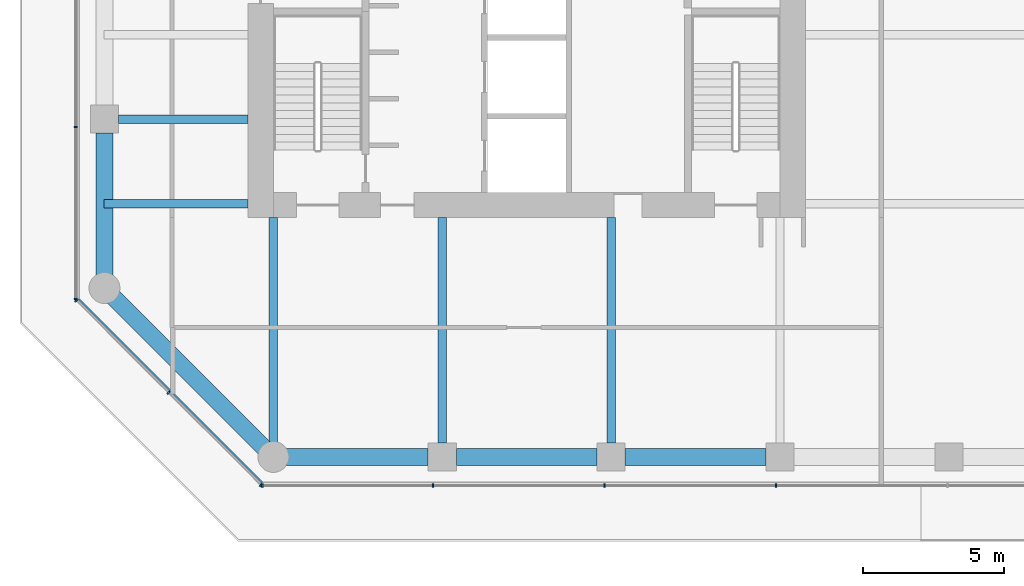
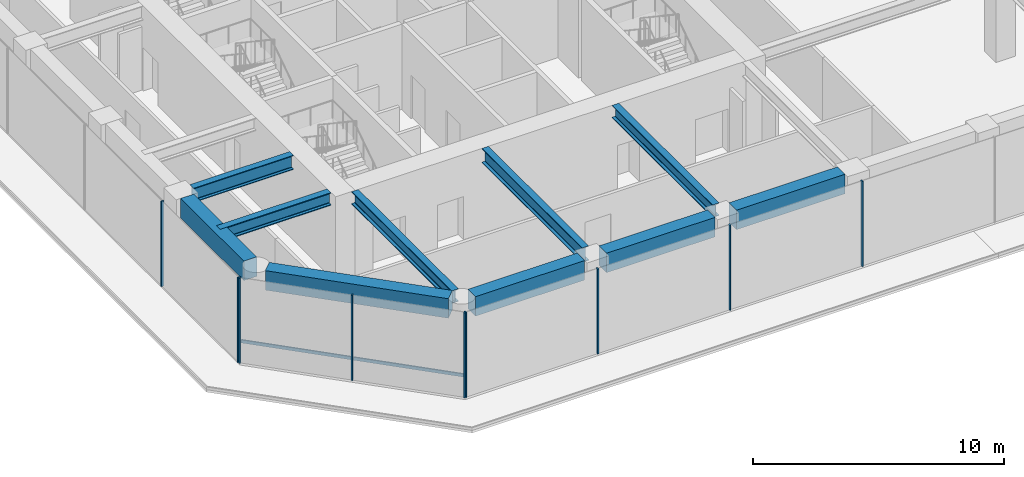
# One storey, part 2 of 24: 10 beams, 10 members, 3 elements without a shape of their own.
"""IFC4 building model written with IfcOpenShell, lengths in metres."""

from ifc_helpers import new_model, si_unit, direction, frame, origin, origin_2d, place, context, subcontext, project, spatial, rectangle, i_section, extrude, material, layer, layer_set, material_profile, profile_set, type_object, element, aggregate, save


model = new_model("IFC4")

# Units and contexts
model_context = context("Model", 3, precision=1e-05, world=origin(), true_north=direction((0.0, 1.0)))
body_context = subcontext(model_context, "Body", "Model", "MODEL_VIEW")
ifc_project = project(units=[si_unit("LENGTHUNIT", "METRE"), si_unit("AREAUNIT", "SQUARE_METRE"), si_unit("VOLUMEUNIT", "CUBIC_METRE"), si_unit("PLANEANGLEUNIT", "RADIAN"), si_unit("MASSUNIT", "GRAM", prefix="KILO")], contexts=[model_context])

# Site, building, storey
site_placement = place(None, origin())
site = spatial("IfcSite", under=ifc_project, at=site_placement, CompositionType="ELEMENT")
building_placement = place(site_placement, origin())
building = spatial("IfcBuilding", under=site, at=building_placement, Name="Welwitschia Terrace Campus", CompositionType="ELEMENT")
storey_placement = place(building_placement, frame((0.0, 0.0, 24.5)))
storey = spatial("IfcBuildingStorey", under=building, at=storey_placement, Name="L05", CompositionType="ELEMENT", Elevation=24.5)

# Beams
ifc_material_1 = material(Name="Steel S355", Category="steel")
ifc_material_profile_1 = material_profile(ifc_material_1, i_section(OverallWidth=0.304931640625, OverallDepth=0.6201171875, WebThickness=0.02099609375, FlangeThickness=0.0400390625, FilletRadius=0.027099609375, at=origin_2d()))
ifc_profile_set_1 = profile_set([ifc_material_profile_1], Name="Steel S355")
beam_type_1 = type_object("IfcBeamType", Name="Interior girder HE 600 M", PredefinedType="BEAM", material=ifc_profile_set_1)
beam_1_placement = place(storey_placement, frame((-0.010009765625, 5.0, 3.840087890625), z_axis=(1.0, 0.0, 0.0), x_axis=(0.0, 1.0, 0.0)))
element("IfcBeam", 1, at=beam_1_placement, inside=storey, type_object=beam_type_1, Name="Girder GB1", PredefinedType="BEAM", context=body_context, shape_type="SweptSolid", body=[
    extrude(i_section(OverallWidth=0.304931640625, OverallDepth=0.6201171875, WebThickness=0.02099609375, FlangeThickness=0.0400390625, FilletRadius=0.027099609375, at=origin_2d()), origin(), (0.0, 0.0, 1.0), 5.109130859375),
])
beam_2_placement = place(storey_placement, frame((6.0, -3.48095703125, 3.840087890625), z_axis=(0.0, 1.0, 0.0), x_axis=(-1.0, 0.0, 0.0)))
element("IfcBeam", 2, at=beam_2_placement, inside=storey, type_object=beam_type_1, Name="Girder GB1", PredefinedType="BEAM", context=body_context, shape_type="SweptSolid", body=[
    extrude(i_section(OverallWidth=0.304931640625, OverallDepth=0.6201171875, WebThickness=0.02099609375, FlangeThickness=0.0400390625, FilletRadius=0.027099609375, at=origin_2d()), origin(), (0.0, 0.0, 1.0), 7.97998046875),
])
beam_3_placement = place(storey_placement, frame((18.0, -3.509521484375, 3.840087890625), z_axis=(0.0, 1.0, 0.0), x_axis=(-1.0, 0.0, 0.0)))
element("IfcBeam", 3, at=beam_3_placement, inside=storey, type_object=beam_type_1, Name="Girder GB1", PredefinedType="BEAM", context=body_context, shape_type="SweptSolid", body=[
    extrude(i_section(OverallWidth=0.304931640625, OverallDepth=0.6201171875, WebThickness=0.02099609375, FlangeThickness=0.0400390625, FilletRadius=0.027099609375, at=origin_2d()), origin(), (0.0, 0.0, 1.0), 8.008544921875),
])

# Curtain wall, members
ifc_material_2 = material(Name="Bronze anodised aluminium", Category="aluminium")
ifc_layer = layer(ifc_material_2, 0.1201171875)
ifc_layer_set = layer_set([ifc_layer], Name="Bronze anodised aluminium")
curtain_wall_type = type_object("IfcCurtainWallType", Name="Curtain wall CW2 tower 6000", PredefinedType="NOTDEFINED", material=ifc_layer_set)
curtain_wall_1_placement = place(storey_placement, origin())
curtain_wall_1 = element("IfcCurtainWall", 4, at=curtain_wall_1_placement, inside=storey, type_object=curtain_wall_type, Name="CW L05.0.0", PredefinedType="NOTDEFINED")
ifc_material_3 = material(Name="Bronze anodised aluminium", Category="aluminium")
ifc_material_profile_2 = material_profile(ifc_material_3, rectangle(XDim=0.1201171875, YDim=0.06005859375, at=origin_2d()))
ifc_profile_set_2 = profile_set([ifc_material_profile_2], Name="Bronze anodised aluminium")
member_type_1 = type_object("IfcMemberType", Name="Mullion 60x120", PredefinedType="MULLION", material=ifc_profile_set_2)
member_1_placement = place(storey_placement, frame((-0.998779296875, 1.556396484375, 0.0), z_axis=(0.0, 0.0, 1.0), x_axis=(0.707106781187, 0.707106781187, 0.0)))
member_1 = element("IfcMember", 5, at=member_1_placement, type_object=member_type_1, Name="Mullion L05.0.0.0", PredefinedType="MULLION", context=body_context, shape_type="SweptSolid", body=[
    extrude(rectangle(XDim=0.1201171875, YDim=0.06005859375, at=origin_2d()), origin(), (0.0, 0.0, 1.0), 4.14990234375),
])
member_2_placement = place(storey_placement, frame((2.27880859375, -1.72119140625, 0.0), z_axis=(0.0, 0.0, 1.0), x_axis=(0.707106781187, 0.707106781187, 0.0)))
member_2 = element("IfcMember", 6, at=member_2_placement, type_object=member_type_1, Name="Mullion L05.0.0.1", PredefinedType="MULLION", context=body_context, shape_type="SweptSolid", body=[
    extrude(rectangle(XDim=0.1201171875, YDim=0.06005859375, at=origin_2d()), origin(), (0.0, 0.0, 1.0), 4.14990234375),
])
member_3_placement = place(storey_placement, frame((5.556396484375, -4.998779296875, 0.0), z_axis=(0.0, 0.0, 1.0), x_axis=(0.707106781187, 0.707106781187, 0.0)))
member_3 = element("IfcMember", 7, at=member_3_placement, type_object=member_type_1, Name="Mullion L05.0.0.2", PredefinedType="MULLION", context=body_context, shape_type="SweptSolid", body=[
    extrude(rectangle(XDim=0.1201171875, YDim=0.06005859375, at=origin_2d()), origin(), (0.0, 0.0, 1.0), 4.14990234375),
])

curtain_wall_2_placement = place(storey_placement, origin())
curtain_wall_2 = element("IfcCurtainWall", 8, at=curtain_wall_2_placement, inside=storey, type_object=curtain_wall_type, Name="CW L05.1.0", PredefinedType="NOTDEFINED")
member_4_placement = place(storey_placement, frame((5.607421875, -5.02001953125, 0.0), z_axis=(0.0, 0.0, 1.0), x_axis=(0.0, 1.0, 0.0)))
member_4 = element("IfcMember", 9, at=member_4_placement, type_object=member_type_1, Name="Mullion L05.1.0.0", PredefinedType="MULLION", context=body_context, shape_type="SweptSolid", body=[
    extrude(rectangle(XDim=0.1201171875, YDim=0.06005859375, at=origin_2d()), origin(), (0.0, 0.0, 1.0), 4.14990234375),
])
member_5_placement = place(storey_placement, frame((11.67138671875, -5.02001953125, 0.0), z_axis=(0.0, 0.0, 1.0), x_axis=(0.0, 1.0, 0.0)))
member_5 = element("IfcMember", 10, at=member_5_placement, type_object=member_type_1, Name="Mullion L05.1.0.1", PredefinedType="MULLION", context=body_context, shape_type="SweptSolid", body=[
    extrude(rectangle(XDim=0.1201171875, YDim=0.06005859375, at=origin_2d()), origin(), (0.0, 0.0, 1.0), 4.14990234375),
])
member_6_placement = place(storey_placement, frame((17.765380859375, -5.02001953125, 0.0), z_axis=(0.0, 0.0, 1.0), x_axis=(0.0, 1.0, 0.0)))
member_6 = element("IfcMember", 11, at=member_6_placement, type_object=member_type_1, Name="Mullion L05.1.0.2", PredefinedType="MULLION", context=body_context, shape_type="SweptSolid", body=[
    extrude(rectangle(XDim=0.1201171875, YDim=0.06005859375, at=origin_2d()), origin(), (0.0, 0.0, 1.0), 4.14990234375),
])
member_7_placement = place(storey_placement, frame((23.859130859375, -5.02001953125, 0.0), z_axis=(0.0, 0.0, 1.0), x_axis=(0.0, 1.0, 0.0)))
member_7 = element("IfcMember", 12, at=member_7_placement, type_object=member_type_1, Name="Mullion L05.1.0.3", PredefinedType="MULLION", context=body_context, shape_type="SweptSolid", body=[
    extrude(rectangle(XDim=0.1201171875, YDim=0.06005859375, at=origin_2d()), origin(), (0.0, 0.0, 1.0), 4.14990234375),
])
aggregate(curtain_wall_2, [member_4, member_5, member_6, member_7])

curtain_wall_3_placement = place(storey_placement, origin())
curtain_wall_3 = element("IfcCurtainWall", 13, at=curtain_wall_3_placement, inside=storey, type_object=curtain_wall_type, Name="CW L05.9.0", PredefinedType="NOTDEFINED")
member_8_placement = place(storey_placement, frame((-1.02001953125, 7.7216796875, 0.0), z_axis=(0.0, 0.0, 1.0), x_axis=(1.0, 0.0, 0.0)))
member_8 = element("IfcMember", 14, at=member_8_placement, type_object=member_type_1, Name="Mullion L05.9.0.9", PredefinedType="MULLION", context=body_context, shape_type="SweptSolid", body=[
    extrude(rectangle(XDim=0.1201171875, YDim=0.06005859375, at=origin_2d()), origin(), (0.0, 0.0, 1.0), 4.14990234375),
])
member_9_placement = place(storey_placement, frame((-1.02001953125, 1.607421875, 0.0), z_axis=(0.0, 0.0, 1.0), x_axis=(1.0, 0.0, 0.0)))
member_9 = element("IfcMember", 15, at=member_9_placement, type_object=member_type_1, Name="Mullion L05.9.0.10", PredefinedType="MULLION", context=body_context, shape_type="SweptSolid", body=[
    extrude(rectangle(XDim=0.1201171875, YDim=0.06005859375, at=origin_2d()), origin(), (0.0, 0.0, 1.0), 4.14990234375),
])
aggregate(curtain_wall_3, [member_8, member_9])

# Beams
ifc_material_4 = material(Name="Steel S355", Category="steel")
ifc_material_profile_3 = material_profile(ifc_material_4, i_section(OverallWidth=0.300048828125, OverallDepth=0.699951171875, WebThickness=0.01708984375, FlangeThickness=0.031982421875, FilletRadius=0.027099609375, at=origin_2d()))
ifc_profile_set_3 = profile_set([ifc_material_profile_3], Name="Steel S355")
beam_type_2 = type_object("IfcBeamType", Name="Primary beam HE 700 B", PredefinedType="BEAM", material=ifc_profile_set_3)
beam_4_placement = place(storey_placement, frame((12.0, -3.49951171875, 3.800048828125), z_axis=(0.0, 1.0, 0.0), x_axis=(-1.0, 0.0, 0.0)))
element("IfcBeam", 16, at=beam_4_placement, inside=storey, type_object=beam_type_2, Name="Primary beam PB1", PredefinedType="BEAM", context=body_context, shape_type="SweptSolid", body=[
    extrude(i_section(OverallWidth=0.300048828125, OverallDepth=0.699951171875, WebThickness=0.01708984375, FlangeThickness=0.031982421875, FilletRadius=0.027099609375, at=origin_2d()), origin(), (0.0, 0.0, 1.0), 7.99951171875),
])
beam_5_placement = place(storey_placement, frame((0.50048828125, 8.0, 3.800048828125), z_axis=(1.0, 0.0, 0.0), x_axis=(0.0, 1.0, 0.0)))
element("IfcBeam", 17, at=beam_5_placement, inside=storey, type_object=beam_type_2, Name="Primary beam PB1", PredefinedType="BEAM", context=body_context, shape_type="SweptSolid", body=[
    extrude(i_section(OverallWidth=0.300048828125, OverallDepth=0.699951171875, WebThickness=0.01708984375, FlangeThickness=0.031982421875, FilletRadius=0.027099609375, at=origin_2d()), origin(), (0.0, 0.0, 1.0), 4.599609375),
])
ifc_material_5 = material(Name="Concrete C60/75", Category="concrete")
ifc_material_profile_4 = material_profile(ifc_material_5, rectangle(XDim=0.60009765625, YDim=0.949951171875, at=origin_2d()))
ifc_profile_set_4 = profile_set([ifc_material_profile_4], Name="Concrete C60/75")
beam_type_3 = type_object("IfcBeamType", Name="Ring spandrel 600x950", PredefinedType="SPANDREL", material=ifc_profile_set_4)
beam_6_placement = place(storey_placement, frame((0.326416015625, 1.673583984375, 3.675048828125), z_axis=(0.707106781187, -0.707106781187, 0.0), x_axis=(0.707106781187, 0.707106781187, 0.0)))
element("IfcBeam", 18, at=beam_6_placement, inside=storey, type_object=beam_type_3, Name="Spandrel SP1", PredefinedType="SPANDREL", context=body_context, shape_type="SweptSolid", body=[
    extrude(rectangle(XDim=0.60009765625, YDim=0.949951171875, at=origin_2d()), origin(), (0.0, 0.0, 1.0), 7.56201171875),
])
beam_7_placement = place(storey_placement, frame((6.46142578125, -4.0, 3.675048828125), z_axis=(1.0, 0.0, 0.0), x_axis=(0.0, 1.0, 0.0)))
element("IfcBeam", 19, at=beam_7_placement, inside=storey, type_object=beam_type_3, Name="Spandrel SP1", PredefinedType="SPANDREL", context=body_context, shape_type="SweptSolid", body=[
    extrude(rectangle(XDim=0.60009765625, YDim=0.949951171875, at=origin_2d()), origin(), (0.0, 0.0, 1.0), 5.0380859375),
])
for number, where, z_axis, x_axis, name in (
    (20, (12.50048828125, -4.0, 3.675048828125), (1.0, 0.0, 0.0), (0.0, 1.0, 0.0), "Spandrel SP1"),
    (21, (18.50048828125, -4.0, 3.675048828125), (1.0, 0.0, 0.0), (0.0, 1.0, 0.0), "Spandrel SP1"),
):
    element("IfcBeam", number, at=place(storey_placement, frame(where, z_axis=z_axis, x_axis=x_axis)), inside=storey, type_object=beam_type_3, Name=name, PredefinedType="SPANDREL", context=body_context, shape_type="SweptSolid", body=[
        extrude(rectangle(XDim=0.60009765625, YDim=0.949951171875, at=origin_2d()), origin(), (0.0, 0.0, 1.0), 4.9990234375),
    ])
beam_8_placement = place(storey_placement, frame((0.0, 7.49951171875, 3.675048828125), z_axis=(0.0, -1.0, 0.0), x_axis=(1.0, 0.0, 0.0)))
element("IfcBeam", 22, at=beam_8_placement, inside=storey, type_object=beam_type_3, Name="Spandrel SP1", PredefinedType="SPANDREL", context=body_context, shape_type="SweptSolid", body=[
    extrude(rectangle(XDim=0.60009765625, YDim=0.949951171875, at=origin_2d()), origin(), (0.0, 0.0, 1.0), 5.0380859375),
])

# Member
ifc_material_6 = material(Name="Bronze anodised aluminium", Category="aluminium")
ifc_material_profile_5 = material_profile(ifc_material_6, rectangle(XDim=0.06005859375, YDim=0.14990234375, at=origin_2d()))
ifc_profile_set_5 = profile_set([ifc_material_profile_5], Name="Bronze anodised aluminium")
member_type_2 = type_object("IfcMemberType", Name="Transom 60x150", PredefinedType="USERDEFINED", material=ifc_profile_set_5)
member_10_placement = place(storey_placement, frame((-0.913818359375, 1.5986328125, 1.0), z_axis=(0.707106781187, -0.707106781187, 0.0), x_axis=(0.707106781187, 0.707106781187, 0.0)))
member_10 = element("IfcMember", 23, at=member_10_placement, type_object=member_type_2, Name="Transom L05.0.0", ObjectType="TRANSOM", PredefinedType="USERDEFINED", context=body_context, shape_type="SweptSolid", body=[
    extrude(rectangle(XDim=0.06005859375, YDim=0.14990234375, at=origin_2d()), origin(), (0.0, 0.0, 1.0), 9.2099609375),
])

aggregate(curtain_wall_1, [member_1, member_2, member_3, member_10])

save(model, "model.ifc")
